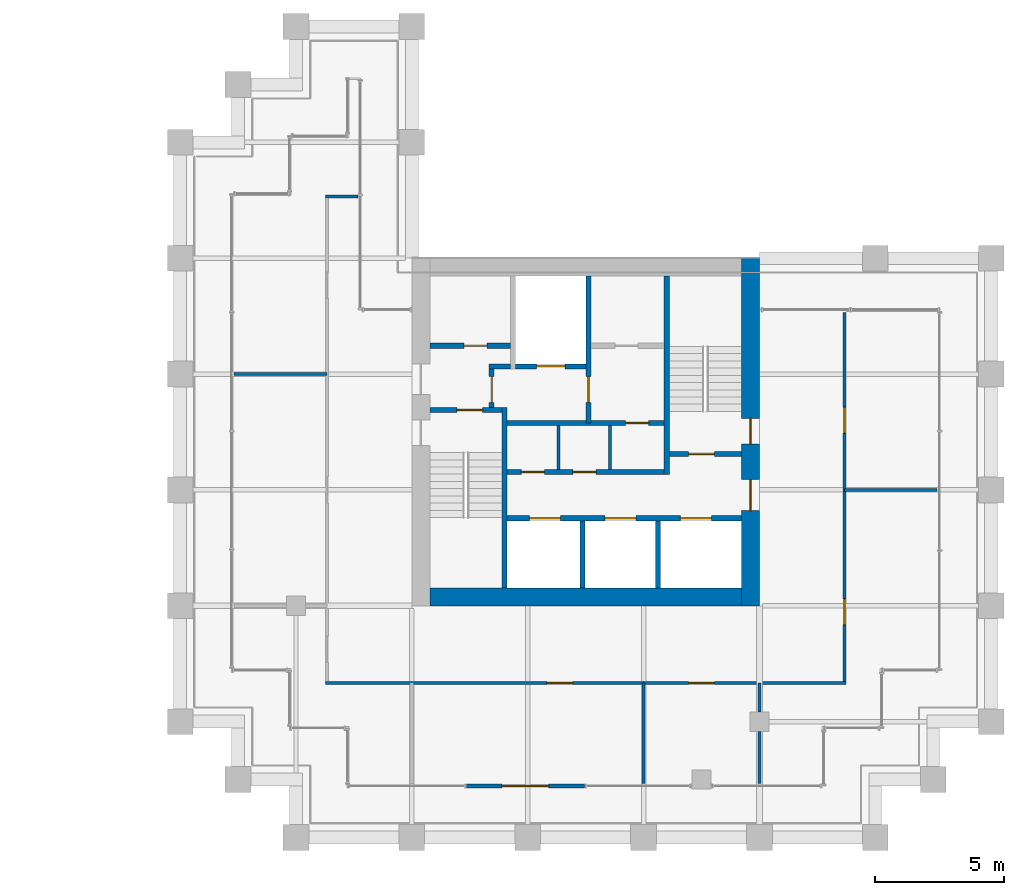
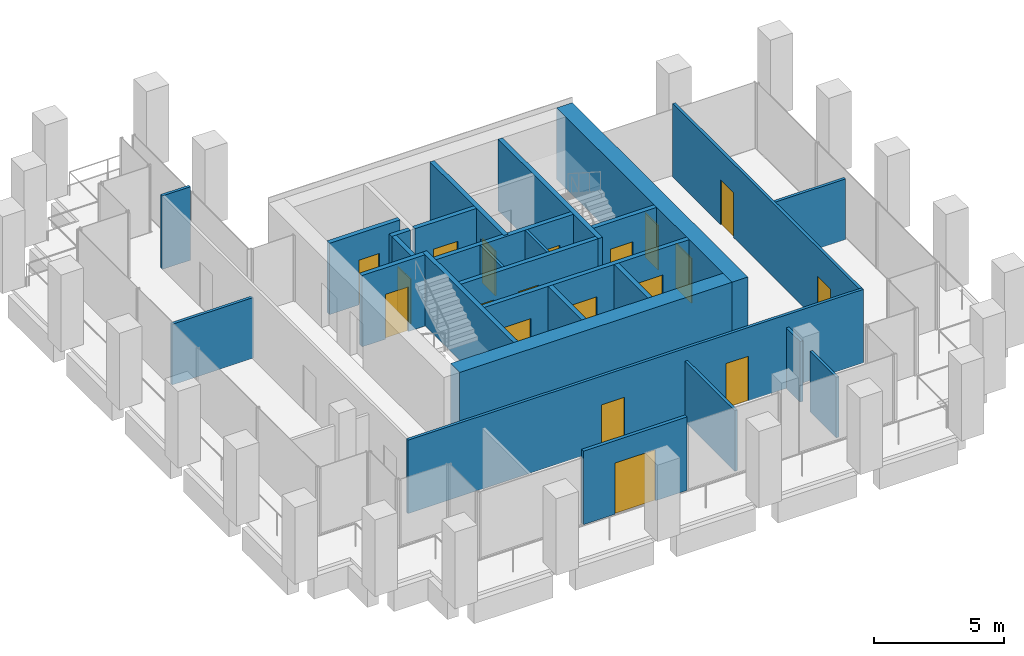
# One storey, part 43 of 46: 27 walls, 19 doors, 19 openings.
"""IFC4 building model written with IfcOpenShell, lengths in metres."""

import ifcopenshell
import ifcopenshell.guid

model = None  # the IFC model being written
_history = None  # IfcOwnerHistory: only IFC2X3 demands one
_inside = {}  # id of a spatial element -> (the spatial element, [elements in it])
_under = {}  # id of a project, library or spatial element -> (it, [spatial elements below it])
_declared = {}  # id of a project -> (the project, [libraries it declares])
_typed = {}  # id of a type object -> (the type object, [elements of that type])
_made_of = {}  # id of a material, layer set ... -> (it, [elements and type objects made of it])


def new_model(schema):
    """Start an empty IFC model of exactly this schema.

    Asked for "IFC4X3", IfcOpenShell would pick the latest addendum, in which some entities
    have other attributes; the version numbers below select the first issue.
    IFC2X3 requires an IfcOwnerHistory on every rooted entity: one is made here for all.
    """
    global model, _history
    if schema == "IFC4X3":
        model = ifcopenshell.file(schema_version=(4, 3, 0, 0))
    else:
        model = ifcopenshell.file(schema=schema)
    _inside.clear()
    _under.clear()
    _declared.clear()
    _typed.clear()
    _made_of.clear()
    _history = None
    if model.schema == "IFC2X3":
        org = make("IfcOrganization", Name="unknown")
        user = make(
            "IfcPersonAndOrganization",
            ThePerson=make("IfcPerson", FamilyName="unknown"),
            TheOrganization=org,
        )
        app = make(
            "IfcApplication",
            ApplicationDeveloper=org,
            Version="unknown",
            ApplicationFullName="unknown",
            ApplicationIdentifier="unknown",
        )
        _history = make(
            "IfcOwnerHistory",
            OwningUser=user,
            OwningApplication=app,
            ChangeAction="ADDED",
            CreationDate=0,
        )
    return model


def make(cls, **values):
    """One entity of the class cls with the attributes given. An attribute that is None is left unset."""
    return model.create_entity(
        cls, **{name: value for name, value in values.items() if value is not None}
    )


def rooted(cls, **values):
    """An entity with a GlobalId (a new one), such as an element, a storey or a relation."""
    return make(cls, GlobalId=ifcopenshell.guid.new(), OwnerHistory=_history, **values)


def si_unit(unit_type, name, prefix=None):
    """IfcSIUnit, for example si_unit("LENGTHUNIT", "METRE", prefix="MILLI")."""
    return make("IfcSIUnit", UnitType=unit_type, Prefix=prefix, Name=name)


def assignment(units):
    """IfcUnitAssignment: the units of a project."""
    return None if units is None else make("IfcUnitAssignment", Units=units)


def point(xyz):
    """IfcCartesianPoint."""
    return None if xyz is None else make("IfcCartesianPoint", Coordinates=xyz)


def direction(xyz):
    """IfcDirection."""
    return None if xyz is None else make("IfcDirection", DirectionRatios=xyz)


def frame(location, z_axis=None, x_axis=None):
    """IfcAxis2Placement3D, a coordinate frame: its origin and axes. An axis left out is left unset."""
    return make(
        "IfcAxis2Placement3D",
        Location=point(location),
        Axis=direction(z_axis),
        RefDirection=direction(x_axis),
    )


def frame_2d(location, x_axis=None):
    """IfcAxis2Placement2D, a coordinate frame in the plane: its origin and x axis."""
    return make(
        "IfcAxis2Placement2D", Location=point(location), RefDirection=direction(x_axis)
    )


def origin():
    """The frame at (0, 0, 0) with its axes left unset."""
    return frame((0.0, 0.0, 0.0))


def place(relative_to, where):
    """IfcLocalPlacement: puts the frame where relative to a parent placement (None: the world)."""
    return make(
        "IfcLocalPlacement", PlacementRelTo=relative_to, RelativePlacement=where
    )


def context(
    kind, dimensions, precision=None, world=None, true_north=None, identifier=None
):
    """IfcGeometricRepresentationContext, for example the 3D "Model" context."""
    return make(
        "IfcGeometricRepresentationContext",
        ContextIdentifier=identifier,
        ContextType=kind,
        CoordinateSpaceDimension=dimensions,
        Precision=precision,
        WorldCoordinateSystem=world,
        TrueNorth=true_north,
    )


def subcontext(parent, identifier, kind, view, scale=None):
    """IfcGeometricRepresentationSubContext, for example "Body" below "Model"."""
    return make(
        "IfcGeometricRepresentationSubContext",
        ContextIdentifier=identifier,
        ContextType=kind,
        ParentContext=parent,
        TargetScale=scale,
        TargetView=view,
    )


def project(units=None, contexts=None):
    """IfcProject with its units and contexts."""
    return rooted(
        "IfcProject",
        Name="project",
        RepresentationContexts=contexts,
        UnitsInContext=assignment(units),
    )


def spatial(cls, under=None, at=None, **own):
    """A site, building, storey or space (cls), placed at a placement, below another one or the project."""
    s = rooted(cls, ObjectPlacement=at, **own)
    if under is not None:
        _under.setdefault(under.id(), (under, []))[1].append(s)
    return s


def profile(cls, at=None, kind="AREA", **sizes):
    """A parametric profile (cls). Its sizes go by their IFC names, for example OverallWidth=200.0."""
    return make(cls, ProfileType=kind, Position=at, **sizes)


def rectangle(**sizes):
    """IfcRectangleProfileDef."""
    return profile("IfcRectangleProfileDef", **sizes)


def extrude(swept, where, along, depth):
    """IfcExtrudedAreaSolid: the profile swept, set in the frame where, extruded along a direction by depth."""
    return make(
        "IfcExtrudedAreaSolid",
        SweptArea=swept,
        Position=where,
        ExtrudedDirection=direction(along),
        Depth=depth,
    )


def shape(context_of_items, identifier, shape_type, items):
    """IfcShapeRepresentation: the items that make up one representation, for example the "Body"."""
    return make(
        "IfcShapeRepresentation",
        ContextOfItems=context_of_items,
        RepresentationIdentifier=identifier,
        RepresentationType=shape_type,
        Items=items,
    )


def material(Name=None, Category=None):
    """IfcMaterial."""
    return make("IfcMaterial", Name=Name, Category=Category)


def layer(
    of_material, thickness, ventilated=None, Name=None, Category=None, Priority=None
):
    """IfcMaterialLayer: one layer of a wall or slab, of a material (None: an air gap)."""
    return make(
        "IfcMaterialLayer",
        Material=of_material,
        LayerThickness=thickness,
        IsVentilated=ventilated,
        Name=Name,
        Category=Category,
        Priority=Priority,
    )


def layer_set(layers, Name=None):
    """IfcMaterialLayerSet."""
    return make("IfcMaterialLayerSet", MaterialLayers=layers, LayerSetName=Name)


def made_of(thing, what):
    """Note that an element or type object is made of a material, layer set ...; save() writes the relation."""
    if what is not None:
        _made_of.setdefault(what.id(), (what, []))[1].append(thing)
    return thing


def type_object(cls, material=None, **own):
    """A type object (cls), such as IfcWallType, which elements share."""
    return made_of(rooted(cls, **own), material)


def element(
    cls,
    number,
    at=None,
    inside=None,
    cuts=None,
    type_object=None,
    material=None,
    context=None,
    identifier="Body",
    shape_type=None,
    held_by="IfcProductDefinitionShape",
    body=None,
    shapes=None,
    **own,
):
    """One element of the class cls, such as IfcWall. Its Tag is "e" and its number.

    at: its placement. inside: the storey or other place that contains it. cuts: it is an
    opening in that element (IfcRelVoidsElement). A single representation is given by context,
    identifier, shape_type and body (its items); several are given by shapes. held_by: the class
    of the entity that holds the representations. save() writes the other relations.
    """
    e = rooted(cls, Tag="e%d" % number, ObjectPlacement=at, **own)
    if body is not None:
        shapes = [shape(context, identifier, shape_type, body)]
    if shapes is not None:
        e.Representation = make(held_by, Representations=shapes)
    if inside is not None:
        _inside.setdefault(inside.id(), (inside, []))[1].append(e)
    if cuts is not None:
        rooted(
            "IfcRelVoidsElement", RelatingBuildingElement=cuts, RelatedOpeningElement=e
        )
    if type_object is not None:
        _typed.setdefault(type_object.id(), (type_object, []))[1].append(e)
    return made_of(e, material)


def fill(opening, filler):
    """IfcRelFillsElement: the door or window that sits in an opening."""
    return rooted(
        "IfcRelFillsElement",
        RelatingOpeningElement=opening,
        RelatedBuildingElement=filler,
    )


def aggregate(whole, parts):
    """IfcRelAggregates: a whole, such as a stair, and the parts it consists of."""
    return rooted("IfcRelAggregates", RelatingObject=whole, RelatedObjects=parts)


def save(model, path):
    """Write the relations noted so far, then the file.

    IfcRelAggregates (storeys below a building ...), IfcRelContainedInSpatialStructure (elements
    in a storey), IfcRelDefinesByType, IfcRelAssociatesMaterial and IfcRelDeclares: one each for
    every whole, place, type object, material and project.
    """
    for whole, parts in _under.values():
        aggregate(whole, parts)
    for where, things in _inside.values():
        rooted(
            "IfcRelContainedInSpatialStructure",
            RelatedElements=things,
            RelatingStructure=where,
        )
    for kind, things in _typed.values():
        rooted("IfcRelDefinesByType", RelatedObjects=things, RelatingType=kind)
    for what, things in _made_of.values():
        rooted("IfcRelAssociatesMaterial", RelatedObjects=things, RelatingMaterial=what)
    for by, libraries in _declared.values():
        rooted("IfcRelDeclares", RelatingContext=by, RelatedDefinitions=libraries)
    model.write(path)


model = new_model("IFC4")

# Units and contexts
model_context = context("Model", 3, precision=1e-05, world=origin(), true_north=direction((0.0, 1.0)))
body_context = subcontext(model_context, "Body", "Model", "MODEL_VIEW")
ifc_project = project(units=[si_unit("LENGTHUNIT", "METRE"), si_unit("AREAUNIT", "SQUARE_METRE"), si_unit("VOLUMEUNIT", "CUBIC_METRE"), si_unit("PLANEANGLEUNIT", "RADIAN"), si_unit("MASSUNIT", "GRAM", prefix="KILO")], contexts=[model_context])

# Site, building, storey
site_placement = place(None, origin())
site = spatial("IfcSite", under=ifc_project, at=site_placement, CompositionType="ELEMENT")
building_placement = place(site_placement, origin())
building = spatial("IfcBuilding", under=site, at=building_placement, Name="Altepetl Exchange Towers", CompositionType="ELEMENT")
storey_placement = place(building_placement, frame((0.0, 0.0, 120.800048828125)))
storey = spatial("IfcBuildingStorey", under=building, at=storey_placement, Name="L29", CompositionType="ELEMENT", Elevation=120.800048828125)

# Wall, openings, doors
ifc_material_1 = material(Name="Concrete C70/85", Category="concrete")
ifc_layer_1 = layer(ifc_material_1, 0.699951171875)
ifc_layer_set_1 = layer_set([ifc_layer_1], Name="Concrete C70/85")
wall_type_1 = type_object("IfcWallType", Name="Core wall 700 reinforced concrete", PredefinedType="SHEAR", material=ifc_layer_set_1)
wall_1_placement = place(storey_placement, frame((116.64990234375, 36.0, 0.0), z_axis=(0.0, 0.0, 1.0), x_axis=(0.0, 1.0, 0.0)))
wall_1 = element("IfcWall", 1, at=wall_1_placement, inside=storey, type_object=wall_type_1, Name="wall:B:L29:K-coreE", PredefinedType="SHEAR", context=body_context, shape_type="SweptSolid", body=[
    extrude(rectangle(XDim=13.5, YDim=0.699951171875, at=frame_2d((6.75, 0.0))), origin(), (0.0, 0.0, 1.0), 3.349853515625),
])
opening_1_placement = place(wall_1_placement, frame((3.699951171875, 0.0, 0.0)))
opening_1 = element("IfcOpeningElement", 2, at=opening_1_placement, cuts=wall_1, Name="Opening L29.B61", PredefinedType="OPENING", context=body_context, shape_type="SweptSolid", body=[
    extrude(rectangle(XDim=1.199951171875, YDim=2.10009765625, at=frame_2d((0.60009765625, 1.050048828125))), frame((0.0, 0.35986328125, 0.0), z_axis=(0.0, -1.0, 0.0), x_axis=(1.0, 0.0, 0.0)), (0.0, 0.0, 1.0), 0.719970703125),
])
opening_2_placement = place(wall_1_placement, frame((6.27490234375, 0.0, 0.0)))
opening_2 = element("IfcOpeningElement", 3, at=opening_2_placement, cuts=wall_1, Name="Opening L29.B65", PredefinedType="OPENING", context=body_context, shape_type="SweptSolid", body=[
    extrude(rectangle(XDim=1.0, YDim=2.10009765625, at=frame_2d((0.5, 1.050048828125))), frame((0.0, 0.35986328125, 0.0), z_axis=(0.0, -1.0, 0.0), x_axis=(1.0, 0.0, 0.0)), (0.0, 0.0, 1.0), 0.719970703125),
])
ifc_material_2 = material(Name="Steel and timber fire door", Category="steel")
door_type_1 = type_object("IfcDoorType", Name="Fire door 1000 x 2100 stair and lobby", OperationType="SINGLE_SWING_LEFT", PredefinedType="DOOR", material=ifc_material_2)
door_1_placement = place(opening_2_placement, origin())
door_1 = element("IfcDoor", 4, at=door_1_placement, inside=storey, type_object=door_type_1, Name="door:B:L29:K-dS2x", OperationType="SINGLE_SWING_LEFT", OverallHeight=2.10009765625, OverallWidth=1.0, PredefinedType="DOOR", context=body_context, shape_type="SweptSolid", body=[
    extrude(rectangle(XDim=1.0, YDim=2.10009765625, at=frame_2d((0.5, 1.050048828125))), frame((0.0, 0.02490234375, 0.0), z_axis=(0.0, -1.0, 0.0), x_axis=(1.0, 0.0, 0.0)), (0.0, 0.0, 1.0), 0.050048828125),
])
fill(opening_2, door_1)
door_type_2 = type_object("IfcDoorType", Name="Fire door 1200 x 2100 lobby entry", OperationType="SINGLE_SWING_LEFT", PredefinedType="DOOR", material=ifc_material_2)
door_2_placement = place(opening_1_placement, origin())
door_2 = element("IfcDoor", 5, at=door_2_placement, inside=storey, type_object=door_type_2, Name="door:B:L29:K-dLSE", OperationType="SINGLE_SWING_RIGHT", OverallHeight=2.10009765625, OverallWidth=1.199951171875, PredefinedType="DOOR", context=body_context, shape_type="SweptSolid", body=[
    extrude(rectangle(XDim=1.199951171875, YDim=2.10009765625, at=frame_2d((0.60009765625, 1.050048828125))), frame((0.0, 0.02490234375, 0.0), z_axis=(0.0, -1.0, 0.0), x_axis=(1.0, 0.0, 0.0)), (0.0, 0.0, 1.0), 0.050048828125),
])
fill(opening_1, door_2)

# Wall
wall_2_placement = place(storey_placement, frame((104.199951171875, 36.35009765625, 0.0)))
element("IfcWall", 6, at=wall_2_placement, inside=storey, type_object=wall_type_1, Name="wall:B:L29:K-coreS", PredefinedType="SHEAR", context=body_context, shape_type="SweptSolid", body=[
    extrude(rectangle(XDim=12.10009765625, YDim=0.699951171875, at=frame_2d((6.050048828125, 0.0))), origin(), (0.0, 0.0, 1.0), 3.349853515625),
])

# Wall, opening, door
ifc_material_3 = material(Name="Aluminium composite cladding", Category="aluminium")
ifc_layer_2 = layer(ifc_material_3, 0.14990234375)
ifc_layer_set_2 = layer_set([ifc_layer_2], Name="Aluminium composite cladding")
wall_type_2 = type_object("IfcWallType", Name="Infill wall 150 aluminium panel", PredefinedType="SOLIDWALL", material=ifc_layer_set_2)
wall_3_placement = place(storey_placement, frame((105.606201171875, 29.0, 0.0)))
wall_3 = element("IfcWall", 7, at=wall_3_placement, inside=storey, type_object=wall_type_2, Name="Loggia door bay wall", PredefinedType="SOLIDWALL", context=body_context, shape_type="SweptSolid", body=[
    extrude(rectangle(XDim=4.606201171875, YDim=0.14990234375, at=frame_2d((2.30322265625, 0.0))), origin(), (0.0, 0.0, 1.0), 3.449951171875),
])
opening_3_placement = place(wall_3_placement, frame((1.403076171875, 0.0, 0.0)))
opening_3 = element("IfcOpeningElement", 8, at=opening_3_placement, cuts=wall_3, Name="Opening L29.B90", PredefinedType="OPENING", context=body_context, shape_type="SweptSolid", body=[
    extrude(rectangle(XDim=1.800048828125, YDim=2.39990234375, at=frame_2d((0.89990234375, 1.199951171875))), frame((0.0, 0.0849609375, 0.0), z_axis=(0.0, -1.0, 0.0), x_axis=(1.0, 0.0, 0.0)), (0.0, 0.0, 1.0), 0.169921875),
])
ifc_material_4 = material(Name="Aluminium 6063-T6 and glass", Category="aluminium")
door_type_3 = type_object("IfcDoorType", Name="Glazed door pair 1800x2400", OperationType="DOUBLE_DOOR_DOUBLE_SWING", PredefinedType="NOTDEFINED", material=ifc_material_4)
door_3_placement = place(opening_3_placement, frame((1.800048828125, 0.0, 0.0), x_axis=(-1.0, 0.0, 0.0)))
door_3 = element("IfcDoor", 9, at=door_3_placement, inside=storey, type_object=door_type_3, Name="Loggia door", OperationType="DOUBLE_DOOR_DOUBLE_SWING", OverallHeight=2.39990234375, OverallWidth=1.800048828125, PredefinedType="NOTDEFINED", context=body_context, shape_type="SweptSolid", body=[
    extrude(rectangle(XDim=1.800048828125, YDim=2.39990234375, at=frame_2d((0.89990234375, 1.199951171875))), frame((0.0, 0.02490234375, 0.0), z_axis=(0.0, -1.0, 0.0), x_axis=(1.0, 0.0, 0.0)), (0.0, 0.0, 1.0), 0.050048828125),
])
fill(opening_3, door_3)

# Wall
ifc_material_5 = material(Name="Concrete blockwork", Category="masonry")
ifc_layer_3 = layer(ifc_material_5, 0.199951171875)
ifc_layer_set_3 = layer_set([ifc_layer_3], Name="Concrete blockwork")
wall_type_3 = type_object("IfcWallType", Name="Lobby wall 200 blockwork", PredefinedType="PARTITIONING", material=ifc_layer_set_3)
wall_4_placement = place(storey_placement, frame((106.5, 45.300048828125, 0.0)))
element("IfcWall", 10, at=wall_4_placement, inside=storey, type_object=wall_type_3, Name="wall:B:L29:K-ffNw", PredefinedType="PARTITIONING", context=body_context, shape_type="SweptSolid", body=[
    extrude(rectangle(XDim=0.833251953125, YDim=0.199951171875, at=frame_2d((0.41650390625, 0.0))), origin(), (0.0, 0.0, 1.0), 3.349853515625),
])

# Wall, opening, door
wall_5_placement = place(storey_placement, frame((106.60009765625, 43.699951171875, 0.0), z_axis=(0.0, 0.0, 1.0), x_axis=(0.0, 1.0, 0.0)))
wall_5 = element("IfcWall", 11, at=wall_5_placement, inside=storey, type_object=wall_type_3, Name="wall:B:L29:K-ffW", PredefinedType="PARTITIONING", context=body_context, shape_type="SweptSolid", body=[
    extrude(rectangle(XDim=1.5, YDim=0.199951171875, at=frame_2d((0.75, 0.0))), origin(), (0.0, 0.0, 1.0), 3.349853515625),
])
opening_4_placement = place(wall_5_placement, frame((0.199951171875, 0.0, 0.0)))
opening_4 = element("IfcOpeningElement", 12, at=opening_4_placement, cuts=wall_5, Name="Opening L29.B67", PredefinedType="OPENING", context=body_context, shape_type="SweptSolid", body=[
    extrude(rectangle(XDim=1.0, YDim=2.10009765625, at=frame_2d((0.5, 1.050048828125))), frame((0.0, 0.10986328125, 0.0), z_axis=(0.0, -1.0, 0.0), x_axis=(1.0, 0.0, 0.0)), (0.0, 0.0, 1.0), 0.219970703125),
])
door_4_placement = place(opening_4_placement, frame((1.0, 0.0, 0.0), x_axis=(-1.0, 0.0, 0.0)))
door_4 = element("IfcDoor", 13, at=door_4_placement, inside=storey, type_object=door_type_1, Name="door:B:L29:K-dffW", OperationType="SINGLE_SWING_LEFT", OverallHeight=2.10009765625, OverallWidth=1.0, PredefinedType="DOOR", context=body_context, shape_type="SweptSolid", body=[
    extrude(rectangle(XDim=1.0, YDim=2.10009765625, at=frame_2d((0.5, 1.050048828125))), frame((0.0, 0.02490234375, 0.0), z_axis=(0.0, -1.0, 0.0), x_axis=(1.0, 0.0, 0.0)), (0.0, 0.0, 1.0), 0.050048828125),
])
fill(opening_4, door_4)

wall_6_placement = place(storey_placement, frame((107.199951171875, 43.10009765625, 0.0)))
wall_6 = element("IfcWall", 14, at=wall_6_placement, inside=storey, type_object=wall_type_3, Name="wall:B:L29:K-zoneN", PredefinedType="PARTITIONING", context=body_context, shape_type="SweptSolid", body=[
    extrude(rectangle(XDim=6.10009765625, YDim=0.199951171875, at=frame_2d((3.050048828125, 0.0))), origin(), (0.0, 0.0, 1.0), 3.349853515625),
])
opening_5_placement = place(wall_6_placement, frame((4.60009765625, 0.0, 0.0)))
opening_5 = element("IfcOpeningElement", 15, at=opening_5_placement, cuts=wall_6, Name="Opening L29.B72", PredefinedType="OPENING", context=body_context, shape_type="SweptSolid", body=[
    extrude(rectangle(XDim=0.89990234375, YDim=2.10009765625, at=frame_2d((0.449951171875, 1.050048828125))), frame((0.0, 0.10986328125, 0.0), z_axis=(0.0, -1.0, 0.0), x_axis=(1.0, 0.0, 0.0)), (0.0, 0.0, 1.0), 0.219970703125),
])
door_type_4 = type_object("IfcDoorType", Name="Fire door 900 x 2100 service room", OperationType="SINGLE_SWING_LEFT", PredefinedType="DOOR", material=ifc_material_2)
door_5_placement = place(opening_5_placement, frame((0.89990234375, 0.0, 0.0), x_axis=(-1.0, 0.0, 0.0)))
door_5 = element("IfcDoor", 16, at=door_5_placement, inside=storey, type_object=door_type_4, Name="door:B:L29:K-dz3", OperationType="SINGLE_SWING_LEFT", OverallHeight=2.10009765625, OverallWidth=0.89990234375, PredefinedType="DOOR", context=body_context, shape_type="SweptSolid", body=[
    extrude(rectangle(XDim=0.89990234375, YDim=2.10009765625, at=frame_2d((0.449951171875, 1.050048828125))), frame((0.0, 0.02490234375, 0.0), z_axis=(0.0, -1.0, 0.0), x_axis=(1.0, 0.0, 0.0)), (0.0, 0.0, 1.0), 0.050048828125),
])
fill(opening_5, door_5)

# Wall, openings, doors
wall_7_placement = place(storey_placement, frame((107.199951171875, 41.199951171875, 0.0)))
wall_7 = element("IfcWall", 17, at=wall_7_placement, inside=storey, type_object=wall_type_3, Name="wall:B:L29:K-zoneS", PredefinedType="PARTITIONING", context=body_context, shape_type="SweptSolid", body=[
    extrude(rectangle(XDim=6.10009765625, YDim=0.199951171875, at=frame_2d((3.050048828125, 0.0))), origin(), (0.0, 0.0, 1.0), 3.349853515625),
])
opening_6_placement = place(wall_7_placement, frame((0.550048828125, 0.0, 0.0)))
opening_6 = element("IfcOpeningElement", 18, at=opening_6_placement, cuts=wall_7, Name="Opening L29.B70", PredefinedType="OPENING", context=body_context, shape_type="SweptSolid", body=[
    extrude(rectangle(XDim=0.89990234375, YDim=2.10009765625, at=frame_2d((0.449951171875, 1.050048828125))), frame((0.0, 0.10986328125, 0.0), z_axis=(0.0, -1.0, 0.0), x_axis=(1.0, 0.0, 0.0)), (0.0, 0.0, 1.0), 0.219970703125),
])
opening_7_placement = place(wall_7_placement, frame((2.550048828125, 0.0, 0.0)))
opening_7 = element("IfcOpeningElement", 19, at=opening_7_placement, cuts=wall_7, Name="Opening L29.B71", PredefinedType="OPENING", context=body_context, shape_type="SweptSolid", body=[
    extrude(rectangle(XDim=0.89990234375, YDim=2.10009765625, at=frame_2d((0.449951171875, 1.050048828125))), frame((0.0, 0.10986328125, 0.0), z_axis=(0.0, -1.0, 0.0), x_axis=(1.0, 0.0, 0.0)), (0.0, 0.0, 1.0), 0.219970703125),
])
door_6_placement = place(opening_6_placement, origin())
door_6 = element("IfcDoor", 20, at=door_6_placement, inside=storey, type_object=door_type_4, Name="door:B:L29:K-dz1", OperationType="SINGLE_SWING_RIGHT", OverallHeight=2.10009765625, OverallWidth=0.89990234375, PredefinedType="DOOR", context=body_context, shape_type="SweptSolid", body=[
    extrude(rectangle(XDim=0.89990234375, YDim=2.10009765625, at=frame_2d((0.449951171875, 1.050048828125))), frame((0.0, 0.02490234375, 0.0), z_axis=(0.0, -1.0, 0.0), x_axis=(1.0, 0.0, 0.0)), (0.0, 0.0, 1.0), 0.050048828125),
])
fill(opening_6, door_6)
door_7_placement = place(opening_7_placement, origin())
door_7 = element("IfcDoor", 21, at=door_7_placement, inside=storey, type_object=door_type_4, Name="door:B:L29:K-dz2", OperationType="SINGLE_SWING_LEFT", OverallHeight=2.10009765625, OverallWidth=0.89990234375, PredefinedType="DOOR", context=body_context, shape_type="SweptSolid", body=[
    extrude(rectangle(XDim=0.89990234375, YDim=2.10009765625, at=frame_2d((0.449951171875, 1.050048828125))), frame((0.0, 0.02490234375, 0.0), z_axis=(0.0, -1.0, 0.0), x_axis=(1.0, 0.0, 0.0)), (0.0, 0.0, 1.0), 0.050048828125),
])
fill(opening_7, door_7)

# Walls
ifc_material_6 = material(Name="Gypsum board on steel studs", Category="steel")
ifc_layer_4 = layer(ifc_material_6, 0.125)
ifc_layer_set_4 = layer_set([ifc_layer_4], Name="Gypsum board on steel studs")
wall_type_4 = type_object("IfcWallType", Name="Partition 125 gypsum board on steel studs", PredefinedType="PARTITIONING", material=ifc_layer_set_4)
for number, where, z_axis, x_axis, name in (
    (22, (109.199951171875, 41.300048828125, 0.0), (0.0, 0.0, 1.0), (0.0, 1.0, 0.0), "wall:B:L29:K-zp1"),
    (23, (111.199951171875, 41.300048828125, 0.0), (0.0, 0.0, 1.0), (0.0, 1.0, 0.0), "wall:B:L29:K-zp2"),
):
    element("IfcWall", number, at=place(storey_placement, frame(where, z_axis=z_axis, x_axis=x_axis)), inside=storey, type_object=wall_type_4, Name=name, PredefinedType="PARTITIONING", context=body_context, shape_type="SweptSolid", body=[
        extrude(rectangle(XDim=1.699951171875, YDim=0.125, at=frame_2d((0.85009765625, 0.0))), origin(), (0.0, 0.0, 1.0), 3.349853515625),
    ])

# Wall, openings, doors
wall_8_placement = place(storey_placement, frame((100.137451171875, 33.0, 0.0)))
wall_8 = element("IfcWall", 24, at=wall_8_placement, inside=storey, type_object=wall_type_4, Name="wall:B:L29:P01", PredefinedType="PARTITIONING", context=body_context, shape_type="SweptSolid", body=[
    extrude(rectangle(XDim=20.22509765625, YDim=0.125, at=frame_2d((10.112548828125, 0.0))), origin(), (0.0, 0.0, 1.0), 3.449951171875),
])
opening_8_placement = place(wall_8_placement, frame((8.60546875, 0.0, 0.0)))
opening_8 = element("IfcOpeningElement", 25, at=opening_8_placement, cuts=wall_8, Name="Opening L29.B03", PredefinedType="OPENING", context=body_context, shape_type="SweptSolid", body=[
    extrude(rectangle(XDim=1.0, YDim=2.10009765625, at=frame_2d((0.5, 1.050048828125))), frame((0.0, 0.072509765625, 0.0), z_axis=(0.0, -1.0, 0.0), x_axis=(1.0, 0.0, 0.0)), (0.0, 0.0, 1.0), 0.14501953125),
])
opening_9_placement = place(wall_8_placement, frame((14.112548828125, 0.0, 0.0)))
opening_9 = element("IfcOpeningElement", 26, at=opening_9_placement, cuts=wall_8, Name="Opening L29.B04", PredefinedType="OPENING", context=body_context, shape_type="SweptSolid", body=[
    extrude(rectangle(XDim=1.0, YDim=2.10009765625, at=frame_2d((0.5, 1.050048828125))), frame((0.0, 0.072509765625, 0.0), z_axis=(0.0, -1.0, 0.0), x_axis=(1.0, 0.0, 0.0)), (0.0, 0.0, 1.0), 0.14501953125),
])
door_type_5 = type_object("IfcDoorType", Name="Fire door 1000 x 2100 single leaf", OperationType="SINGLE_SWING_LEFT", PredefinedType="DOOR", material=ifc_material_2)
door_8_placement = place(opening_8_placement, frame((1.0, 0.0, 0.0), x_axis=(-1.0, 0.0, 0.0)))
door_8 = element("IfcDoor", 27, at=door_8_placement, inside=storey, type_object=door_type_5, Name="door:B:L29:03", OperationType="SINGLE_SWING_LEFT", OverallHeight=2.10009765625, OverallWidth=1.0, PredefinedType="DOOR", context=body_context, shape_type="SweptSolid", body=[
    extrude(rectangle(XDim=1.0, YDim=2.10009765625, at=frame_2d((0.5, 1.050048828125))), frame((0.0, 0.02490234375, 0.0), z_axis=(0.0, -1.0, 0.0), x_axis=(1.0, 0.0, 0.0)), (0.0, 0.0, 1.0), 0.050048828125),
])
fill(opening_8, door_8)
door_9_placement = place(opening_9_placement, frame((1.0, 0.0, 0.0), x_axis=(-1.0, 0.0, 0.0)))
door_9 = element("IfcDoor", 28, at=door_9_placement, inside=storey, type_object=door_type_5, Name="door:B:L29:04", OperationType="SINGLE_SWING_LEFT", OverallHeight=2.10009765625, OverallWidth=1.0, PredefinedType="DOOR", context=body_context, shape_type="SweptSolid", body=[
    extrude(rectangle(XDim=1.0, YDim=2.10009765625, at=frame_2d((0.5, 1.050048828125))), frame((0.0, 0.02490234375, 0.0), z_axis=(0.0, -1.0, 0.0), x_axis=(1.0, 0.0, 0.0)), (0.0, 0.0, 1.0), 0.050048828125),
])
fill(opening_9, door_9)

# Walls
for number, where, name in (
    (29, (120.300048828125, 40.5, 0.0), "wall:B:L29:P04"),
    (30, (96.60009765625, 45.0, 0.0), "wall:B:L29:P05"),
):
    element("IfcWall", number, at=place(storey_placement, frame(where)), inside=storey, type_object=wall_type_4, Name=name, PredefinedType="PARTITIONING", context=body_context, shape_type="SweptSolid", body=[
        extrude(rectangle(XDim=3.599853515625, YDim=0.125, at=frame_2d((1.7998046875, 0.0))), origin(), (0.0, 0.0, 1.0), 2.850830078125),
    ])
wall_9_placement = place(storey_placement, frame((100.137451171875, 51.89990234375, 0.0)))
element("IfcWall", 31, at=wall_9_placement, inside=storey, type_object=wall_type_4, Name="wall:B:L29:P06", PredefinedType="PARTITIONING", context=body_context, shape_type="SweptSolid", body=[
    extrude(rectangle(XDim=1.262451171875, YDim=0.125, at=frame_2d((0.63134765625, 0.0))), origin(), (0.0, 0.0, 1.0), 3.449951171875),
])
wall_10_placement = place(storey_placement, frame((112.5, 29.10009765625, 0.0), z_axis=(0.0, 0.0, 1.0), x_axis=(0.0, 1.0, 0.0)))
element("IfcWall", 32, at=wall_10_placement, inside=storey, type_object=wall_type_4, Name="wall:B:L29:P09", PredefinedType="PARTITIONING", context=body_context, shape_type="SweptSolid", body=[
    extrude(rectangle(XDim=3.89990234375, YDim=0.125, at=frame_2d((1.949951171875, 0.0))), origin(), (0.0, 0.0, 1.0), 2.850830078125),
])
wall_11_placement = place(storey_placement, frame((117.0, 29.10009765625, 0.0), z_axis=(0.0, 0.0, 1.0), x_axis=(0.0, 1.0, 0.0)))
element("IfcWall", 33, at=wall_11_placement, inside=storey, type_object=wall_type_4, Name="wall:B:L29:P10", PredefinedType="PARTITIONING", context=body_context, shape_type="SweptSolid", body=[
    extrude(rectangle(XDim=2.02490234375, YDim=0.125, at=frame_2d((1.012451171875, 0.0))), origin(), (0.0, 0.0, 1.0), 2.842041015625),
])
wall_12_placement = place(storey_placement, frame((117.0, 31.875, 0.0), z_axis=(0.0, 0.0, 1.0), x_axis=(0.0, 1.0, 0.0)))
element("IfcWall", 34, at=wall_12_placement, inside=storey, type_object=wall_type_4, Name="wall:B:L29:P11", PredefinedType="PARTITIONING", context=body_context, shape_type="SweptSolid", body=[
    extrude(rectangle(XDim=1.125, YDim=0.125, at=frame_2d((0.5625, 0.0))), origin(), (0.0, 0.0, 1.0), 2.842041015625),
])

# Wall, openings, doors
wall_13_placement = place(storey_placement, frame((120.300048828125, 33.0625, 0.0), z_axis=(0.0, 0.0, 1.0), x_axis=(0.0, 1.0, 0.0)))
wall_13 = element("IfcWall", 35, at=wall_13_placement, inside=storey, type_object=wall_type_4, Name="wall:B:L29:P12", PredefinedType="PARTITIONING", context=body_context, shape_type="SweptSolid", body=[
    extrude(rectangle(XDim=14.33740234375, YDim=0.125, at=frame_2d((7.168701171875, 0.0))), origin(), (0.0, 0.0, 1.0), 3.449951171875),
])
opening_10_placement = place(wall_13_placement, frame((2.20751953125, 0.0, 0.0)))
opening_10 = element("IfcOpeningElement", 36, at=opening_10_placement, cuts=wall_13, Name="Opening L29.B05", PredefinedType="OPENING", context=body_context, shape_type="SweptSolid", body=[
    extrude(rectangle(XDim=1.0, YDim=2.10009765625, at=frame_2d((0.5, 1.050048828125))), frame((0.0, 0.072509765625, 0.0), z_axis=(0.0, -1.0, 0.0), x_axis=(1.0, 0.0, 0.0)), (0.0, 0.0, 1.0), 0.14501953125),
])
opening_11_placement = place(wall_13_placement, frame((9.642578125, 0.0, 0.0)))
opening_11 = element("IfcOpeningElement", 37, at=opening_11_placement, cuts=wall_13, Name="Opening L29.B06", PredefinedType="OPENING", context=body_context, shape_type="SweptSolid", body=[
    extrude(rectangle(XDim=1.0, YDim=2.10009765625, at=frame_2d((0.5, 1.050048828125))), frame((0.0, 0.072509765625, 0.0), z_axis=(0.0, -1.0, 0.0), x_axis=(1.0, 0.0, 0.0)), (0.0, 0.0, 1.0), 0.14501953125),
])
door_10_placement = place(opening_10_placement, frame((1.0, 0.0, 0.0), x_axis=(-1.0, 0.0, 0.0)))
door_10 = element("IfcDoor", 38, at=door_10_placement, inside=storey, type_object=door_type_5, Name="door:B:L29:05", OperationType="SINGLE_SWING_RIGHT", OverallHeight=2.10009765625, OverallWidth=1.0, PredefinedType="DOOR", context=body_context, shape_type="SweptSolid", body=[
    extrude(rectangle(XDim=1.0, YDim=2.10009765625, at=frame_2d((0.5, 1.050048828125))), frame((0.0, 0.02490234375, 0.0), z_axis=(0.0, -1.0, 0.0), x_axis=(1.0, 0.0, 0.0)), (0.0, 0.0, 1.0), 0.050048828125),
])
fill(opening_10, door_10)
door_11_placement = place(opening_11_placement, frame((1.0, 0.0, 0.0), x_axis=(-1.0, 0.0, 0.0)))
door_11 = element("IfcDoor", 39, at=door_11_placement, inside=storey, type_object=door_type_5, Name="door:B:L29:06", OperationType="SINGLE_SWING_RIGHT", OverallHeight=2.10009765625, OverallWidth=1.0, PredefinedType="DOOR", context=body_context, shape_type="SweptSolid", body=[
    extrude(rectangle(XDim=1.0, YDim=2.10009765625, at=frame_2d((0.5, 1.050048828125))), frame((0.0, 0.02490234375, 0.0), z_axis=(0.0, -1.0, 0.0), x_axis=(1.0, 0.0, 0.0)), (0.0, 0.0, 1.0), 0.050048828125),
])
fill(opening_11, door_11)

# Wall, opening, door
ifc_material_7 = material(Name="Concrete C40/50", Category="concrete")
ifc_layer_5 = layer(ifc_material_7, 0.199951171875)
ifc_layer_set_5 = layer_set([ifc_layer_5], Name="Concrete C40/50")
wall_type_5 = type_object("IfcWallType", Name="Shaft wall 200 reinforced concrete", PredefinedType="SHEAR", material=ifc_layer_set_5)
wall_14_placement = place(storey_placement, frame((110.36669921875, 48.800048828125, 0.0), z_axis=(0.0, 0.0, 1.0), x_axis=(0.0, -1.0, 0.0)))
wall_14 = element("IfcWall", 40, at=wall_14_placement, inside=storey, type_object=wall_type_5, Name="wall:B:L29:K-divN2", PredefinedType="SHEAR", context=body_context, shape_type="SweptSolid", body=[
    extrude(rectangle(XDim=5.699951171875, YDim=0.199951171875, at=frame_2d((2.85009765625, 0.0))), origin(), (0.0, 0.0, 1.0), 3.349853515625),
])
opening_12_placement = place(wall_14_placement, frame((3.89990234375, 0.0, 0.0)))
opening_12 = element("IfcOpeningElement", 41, at=opening_12_placement, cuts=wall_14, Name="Opening L29.B66", PredefinedType="OPENING", context=body_context, shape_type="SweptSolid", body=[
    extrude(rectangle(XDim=1.0, YDim=2.10009765625, at=frame_2d((0.5, 1.050048828125))), frame((0.0, 0.10986328125, 0.0), z_axis=(0.0, -1.0, 0.0), x_axis=(1.0, 0.0, 0.0)), (0.0, 0.0, 1.0), 0.219970703125),
])
door_12_placement = place(opening_12_placement, frame((1.0, 0.0, 0.0), x_axis=(-1.0, 0.0, 0.0)))
door_12 = element("IfcDoor", 42, at=door_12_placement, inside=storey, type_object=door_type_1, Name="door:B:L29:K-dffE", OperationType="SINGLE_SWING_RIGHT", OverallHeight=2.10009765625, OverallWidth=1.0, PredefinedType="DOOR", context=body_context, shape_type="SweptSolid", body=[
    extrude(rectangle(XDim=1.0, YDim=2.10009765625, at=frame_2d((0.5, 1.050048828125))), frame((0.0, 0.02490234375, 0.0), z_axis=(0.0, -1.0, 0.0), x_axis=(1.0, 0.0, 0.0)), (0.0, 0.0, 1.0), 0.050048828125),
])
fill(opening_12, door_12)

# Walls
for number, where, z_axis, x_axis, name in (
    (43, (110.13330078125, 36.699951171875, 0.0), (0.0, 0.0, 1.0), (0.0, 1.0, 0.0), "wall:B:L29:K-divS1"),
    (44, (113.066650390625, 36.699951171875, 0.0), (0.0, 0.0, 1.0), (0.0, 1.0, 0.0), "wall:B:L29:K-divS2"),
):
    element("IfcWall", number, at=place(storey_placement, frame(where, z_axis=z_axis, x_axis=x_axis)), inside=storey, type_object=wall_type_5, Name=name, PredefinedType="SHEAR", context=body_context, shape_type="SweptSolid", body=[
        extrude(rectangle(XDim=2.60009765625, YDim=0.199951171875, at=frame_2d((1.300048828125, 0.0))), origin(), (0.0, 0.0, 1.0), 3.349853515625),
    ])

# Wall, opening, door
wall_15_placement = place(storey_placement, frame((104.199951171875, 46.10009765625, 0.0)))
wall_15 = element("IfcWall", 45, at=wall_15_placement, inside=storey, type_object=wall_type_5, Name="wall:B:L29:K-frontNa", PredefinedType="SHEAR", context=body_context, shape_type="SweptSolid", body=[
    extrude(rectangle(XDim=3.13330078125, YDim=0.199951171875, at=frame_2d((1.566650390625, 0.0))), origin(), (0.0, 0.0, 1.0), 3.349853515625),
])
opening_13_placement = place(wall_15_placement, frame((1.316650390625, 0.0, 0.0)))
opening_13 = element("IfcOpeningElement", 46, at=opening_13_placement, cuts=wall_15, Name="Opening L29.B68", PredefinedType="OPENING", context=body_context, shape_type="SweptSolid", body=[
    extrude(rectangle(XDim=0.89990234375, YDim=2.10009765625, at=frame_2d((0.449951171875, 1.050048828125))), frame((0.0, 0.10986328125, 0.0), z_axis=(0.0, -1.0, 0.0), x_axis=(1.0, 0.0, 0.0)), (0.0, 0.0, 1.0), 0.219970703125),
])
door_13_placement = place(opening_13_placement, origin())
door_13 = element("IfcDoor", 47, at=door_13_placement, inside=storey, type_object=door_type_4, Name="door:B:L29:K-dslotN0", OperationType="SINGLE_SWING_RIGHT", OverallHeight=2.10009765625, OverallWidth=0.89990234375, PredefinedType="DOOR", context=body_context, shape_type="SweptSolid", body=[
    extrude(rectangle(XDim=0.89990234375, YDim=2.10009765625, at=frame_2d((0.449951171875, 1.050048828125))), frame((0.0, 0.02490234375, 0.0), z_axis=(0.0, -1.0, 0.0), x_axis=(1.0, 0.0, 0.0)), (0.0, 0.0, 1.0), 0.050048828125),
])
fill(opening_13, door_13)

wall_16_placement = place(storey_placement, frame((107.533203125, 45.300048828125, 0.0)))
wall_16 = element("IfcWall", 48, at=wall_16_placement, inside=storey, type_object=wall_type_5, Name="wall:B:L29:K-frontNd", PredefinedType="SHEAR", context=body_context, shape_type="SweptSolid", body=[
    extrude(rectangle(XDim=2.7333984375, YDim=0.199951171875, at=frame_2d((1.36669921875, 0.0))), origin(), (0.0, 0.0, 1.0), 3.349853515625),
])
opening_14_placement = place(wall_16_placement, frame((0.816650390625, 0.0, 0.0)))
opening_14 = element("IfcOpeningElement", 49, at=opening_14_placement, cuts=wall_16, Name="Opening L29.B73", PredefinedType="OPENING", context=body_context, shape_type="SweptSolid", body=[
    extrude(rectangle(XDim=1.10009765625, YDim=2.10009765625, at=frame_2d((0.550048828125, 1.050048828125))), frame((0.0, 0.10986328125, 0.0), z_axis=(0.0, -1.0, 0.0), x_axis=(1.0, 0.0, 0.0)), (0.0, 0.0, 1.0), 0.219970703125),
])
ifc_material_8 = material(Name="Stainless steel", Category="steel")
door_type_6 = type_object("IfcDoorType", Name="Lift landing door 1100 x 2100", OperationType="SLIDING_TO_LEFT", PredefinedType="DOOR", material=ifc_material_8)
door_14_placement = place(opening_14_placement, origin())
door_14 = element("IfcDoor", 50, at=door_14_placement, inside=storey, type_object=door_type_6, Name="Landing door FFL1", OperationType="SLIDING_TO_LEFT", OverallHeight=2.10009765625, OverallWidth=1.10009765625, PredefinedType="DOOR", context=body_context, shape_type="SweptSolid", body=[
    extrude(rectangle(XDim=1.10009765625, YDim=2.10009765625, at=frame_2d((0.550048828125, 1.050048828125))), frame((0.0, 0.02490234375, 0.0), z_axis=(0.0, -1.0, 0.0), x_axis=(1.0, 0.0, 0.0)), (0.0, 0.0, 1.0), 0.050048828125),
])
fill(opening_14, door_14)

# Wall, openings, doors
wall_17_placement = place(storey_placement, frame((107.199951171875, 39.39990234375, 0.0)))
wall_17 = element("IfcWall", 51, at=wall_17_placement, inside=storey, type_object=wall_type_5, Name="wall:B:L29:K-frontS", PredefinedType="SHEAR", context=body_context, shape_type="SweptSolid", body=[
    extrude(rectangle(XDim=9.10009765625, YDim=0.199951171875, at=frame_2d((4.550048828125, 0.0))), origin(), (0.0, 0.0, 1.0), 3.349853515625),
])
opening_15_placement = place(wall_17_placement, frame((0.86669921875, 0.0, 0.0)))
opening_15 = element("IfcOpeningElement", 52, at=opening_15_placement, cuts=wall_17, Name="Opening L29.B74", PredefinedType="OPENING", context=body_context, shape_type="SweptSolid", body=[
    extrude(rectangle(XDim=1.199951171875, YDim=2.10009765625, at=frame_2d((0.60009765625, 1.050048828125))), frame((0.0, 0.10986328125, 0.0), z_axis=(0.0, -1.0, 0.0), x_axis=(1.0, 0.0, 0.0)), (0.0, 0.0, 1.0), 0.219970703125),
])
opening_16_placement = place(wall_17_placement, frame((3.800048828125, 0.0, 0.0)))
opening_16 = element("IfcOpeningElement", 53, at=opening_16_placement, cuts=wall_17, Name="Opening L29.B75", PredefinedType="OPENING", context=body_context, shape_type="SweptSolid", body=[
    extrude(rectangle(XDim=1.199951171875, YDim=2.10009765625, at=frame_2d((0.60009765625, 1.050048828125))), frame((0.0, 0.10986328125, 0.0), z_axis=(0.0, -1.0, 0.0), x_axis=(1.0, 0.0, 0.0)), (0.0, 0.0, 1.0), 0.219970703125),
])
opening_17_placement = place(wall_17_placement, frame((6.7333984375, 0.0, 0.0)))
opening_17 = element("IfcOpeningElement", 54, at=opening_17_placement, cuts=wall_17, Name="Opening L29.B76", PredefinedType="OPENING", context=body_context, shape_type="SweptSolid", body=[
    extrude(rectangle(XDim=1.199951171875, YDim=2.10009765625, at=frame_2d((0.60009765625, 1.050048828125))), frame((0.0, 0.10986328125, 0.0), z_axis=(0.0, -1.0, 0.0), x_axis=(1.0, 0.0, 0.0)), (0.0, 0.0, 1.0), 0.219970703125),
])
door_type_7 = type_object("IfcDoorType", Name="Lift landing door 1200 x 2100", OperationType="SLIDING_TO_LEFT", PredefinedType="DOOR", material=ifc_material_8)
door_15_placement = place(opening_15_placement, origin())
door_15 = element("IfcDoor", 55, at=door_15_placement, inside=storey, type_object=door_type_7, Name="Landing door P1", OperationType="SLIDING_TO_LEFT", OverallHeight=2.10009765625, OverallWidth=1.199951171875, PredefinedType="DOOR", context=body_context, shape_type="SweptSolid", body=[
    extrude(rectangle(XDim=1.199951171875, YDim=2.10009765625, at=frame_2d((0.60009765625, 1.050048828125))), frame((0.0, 0.02490234375, 0.0), z_axis=(0.0, -1.0, 0.0), x_axis=(1.0, 0.0, 0.0)), (0.0, 0.0, 1.0), 0.050048828125),
])
fill(opening_15, door_15)
door_16_placement = place(opening_16_placement, origin())
door_16 = element("IfcDoor", 56, at=door_16_placement, inside=storey, type_object=door_type_7, Name="Landing door P2", OperationType="SLIDING_TO_LEFT", OverallHeight=2.10009765625, OverallWidth=1.199951171875, PredefinedType="DOOR", context=body_context, shape_type="SweptSolid", body=[
    extrude(rectangle(XDim=1.199951171875, YDim=2.10009765625, at=frame_2d((0.60009765625, 1.050048828125))), frame((0.0, 0.02490234375, 0.0), z_axis=(0.0, -1.0, 0.0), x_axis=(1.0, 0.0, 0.0)), (0.0, 0.0, 1.0), 0.050048828125),
])
fill(opening_16, door_16)
door_17_placement = place(opening_17_placement, origin())
door_17 = element("IfcDoor", 57, at=door_17_placement, inside=storey, type_object=door_type_7, Name="Landing door P3", OperationType="SLIDING_TO_LEFT", OverallHeight=2.10009765625, OverallWidth=1.199951171875, PredefinedType="DOOR", context=body_context, shape_type="SweptSolid", body=[
    extrude(rectangle(XDim=1.199951171875, YDim=2.10009765625, at=frame_2d((0.60009765625, 1.050048828125))), frame((0.0, 0.02490234375, 0.0), z_axis=(0.0, -1.0, 0.0), x_axis=(1.0, 0.0, 0.0)), (0.0, 0.0, 1.0), 0.050048828125),
])
fill(opening_17, door_17)

# Wall
ifc_layer_6 = layer(ifc_material_7, 0.199951171875)
ifc_layer_set_6 = layer_set([ifc_layer_6], Name="Concrete C40/50")
wall_type_6 = type_object("IfcWallType", Name="Stair wall 200 reinforced concrete", PredefinedType="SHEAR", material=ifc_layer_set_6)
wall_18_placement = place(storey_placement, frame((107.10009765625, 36.699951171875, 0.0), z_axis=(0.0, 0.0, 1.0), x_axis=(0.0, 1.0, 0.0)))
element("IfcWall", 58, at=wall_18_placement, inside=storey, type_object=wall_type_6, Name="wall:B:L29:K-stS1E", PredefinedType="SHEAR", context=body_context, shape_type="SweptSolid", body=[
    extrude(rectangle(XDim=7.0, YDim=0.199951171875, at=frame_2d((3.5, 0.0))), origin(), (0.0, 0.0, 1.0), 3.349853515625),
])

# Wall, opening, door
wall_19_placement = place(storey_placement, frame((104.199951171875, 43.60009765625, 0.0)))
wall_19 = element("IfcWall", 59, at=wall_19_placement, inside=storey, type_object=wall_type_6, Name="wall:B:L29:K-stS1N", PredefinedType="SHEAR", context=body_context, shape_type="SweptSolid", body=[
    extrude(rectangle(XDim=2.800048828125, YDim=0.199951171875, at=frame_2d((1.39990234375, 0.0))), origin(), (0.0, 0.0, 1.0), 3.349853515625),
])
opening_18_placement = place(wall_19_placement, frame((1.050048828125, 0.0, 0.0)))
opening_18 = element("IfcOpeningElement", 60, at=opening_18_placement, cuts=wall_19, Name="Opening L29.B62", PredefinedType="OPENING", context=body_context, shape_type="SweptSolid", body=[
    extrude(rectangle(XDim=1.0, YDim=2.10009765625, at=frame_2d((0.5, 1.050048828125))), frame((0.0, 0.10986328125, 0.0), z_axis=(0.0, -1.0, 0.0), x_axis=(1.0, 0.0, 0.0)), (0.0, 0.0, 1.0), 0.219970703125),
])
door_18_placement = place(opening_18_placement, frame((1.0, 0.0, 0.0), x_axis=(-1.0, 0.0, 0.0)))
door_18 = element("IfcDoor", 61, at=door_18_placement, inside=storey, type_object=door_type_1, Name="door:B:L29:K-dS1in", OperationType="SINGLE_SWING_LEFT", OverallHeight=2.10009765625, OverallWidth=1.0, PredefinedType="DOOR", context=body_context, shape_type="SweptSolid", body=[
    extrude(rectangle(XDim=1.0, YDim=2.10009765625, at=frame_2d((0.5, 1.050048828125))), frame((0.0, 0.02490234375, 0.0), z_axis=(0.0, -1.0, 0.0), x_axis=(1.0, 0.0, 0.0)), (0.0, 0.0, 1.0), 0.050048828125),
])
fill(opening_18, door_18)

wall_20_placement = place(storey_placement, frame((113.5, 41.89990234375, 0.0)))
wall_20 = element("IfcWall", 62, at=wall_20_placement, inside=storey, type_object=wall_type_6, Name="wall:B:L29:K-stS2S", PredefinedType="SHEAR", context=body_context, shape_type="SweptSolid", body=[
    extrude(rectangle(XDim=2.800048828125, YDim=0.199951171875, at=frame_2d((1.39990234375, 0.0))), origin(), (0.0, 0.0, 1.0), 3.349853515625),
])
opening_19_placement = place(wall_20_placement, frame((0.75, 0.0, 0.0)))
opening_19 = element("IfcOpeningElement", 63, at=opening_19_placement, cuts=wall_20, Name="Opening L29.B64", PredefinedType="OPENING", context=body_context, shape_type="SweptSolid", body=[
    extrude(rectangle(XDim=1.0, YDim=2.10009765625, at=frame_2d((0.5, 1.050048828125))), frame((0.0, 0.10986328125, 0.0), z_axis=(0.0, -1.0, 0.0), x_axis=(1.0, 0.0, 0.0)), (0.0, 0.0, 1.0), 0.219970703125),
])
door_19_placement = place(opening_19_placement, origin())
door_19 = element("IfcDoor", 64, at=door_19_placement, inside=storey, type_object=door_type_1, Name="door:B:L29:K-dS2in", OperationType="SINGLE_SWING_RIGHT", OverallHeight=2.10009765625, OverallWidth=1.0, PredefinedType="DOOR", context=body_context, shape_type="SweptSolid", body=[
    extrude(rectangle(XDim=1.0, YDim=2.10009765625, at=frame_2d((0.5, 1.050048828125))), frame((0.0, 0.02490234375, 0.0), z_axis=(0.0, -1.0, 0.0), x_axis=(1.0, 0.0, 0.0)), (0.0, 0.0, 1.0), 0.050048828125),
])
fill(opening_19, door_19)

# Wall
wall_21_placement = place(storey_placement, frame((113.39990234375, 41.10009765625, 0.0), z_axis=(0.0, 0.0, 1.0), x_axis=(0.0, 1.0, 0.0)))
element("IfcWall", 65, at=wall_21_placement, inside=storey, type_object=wall_type_6, Name="wall:B:L29:K-stS2W", PredefinedType="SHEAR", context=body_context, shape_type="SweptSolid", body=[
    extrude(rectangle(XDim=7.699951171875, YDim=0.199951171875, at=frame_2d((3.85009765625, 0.0))), origin(), (0.0, 0.0, 1.0), 3.349853515625),
])

save(model, "model.ifc")
